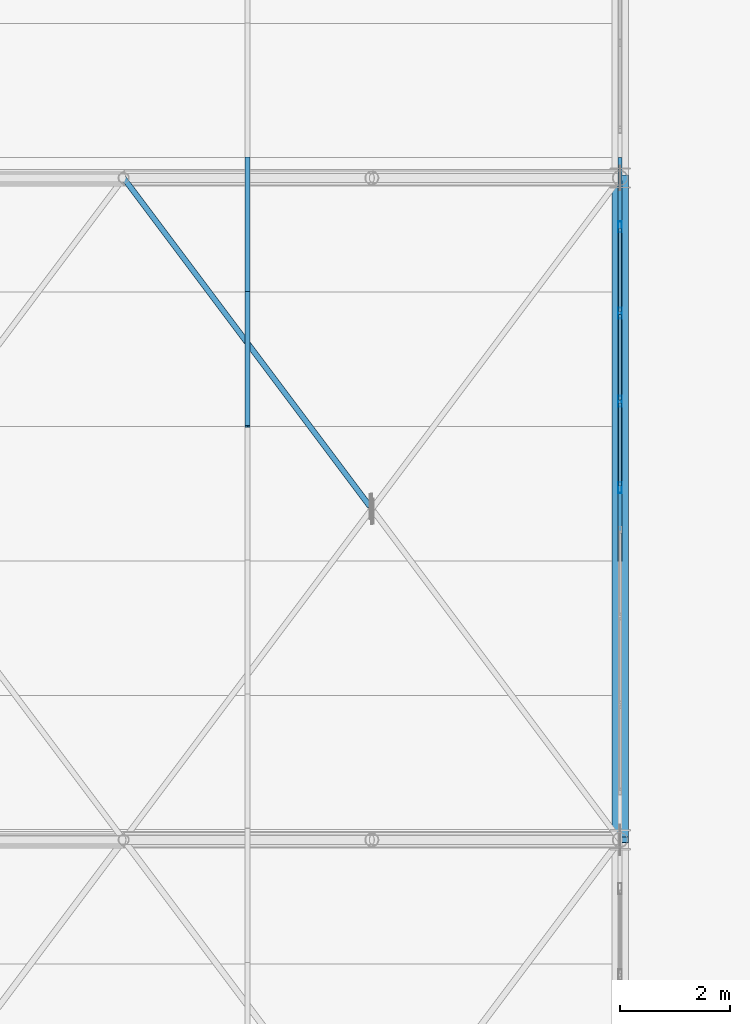
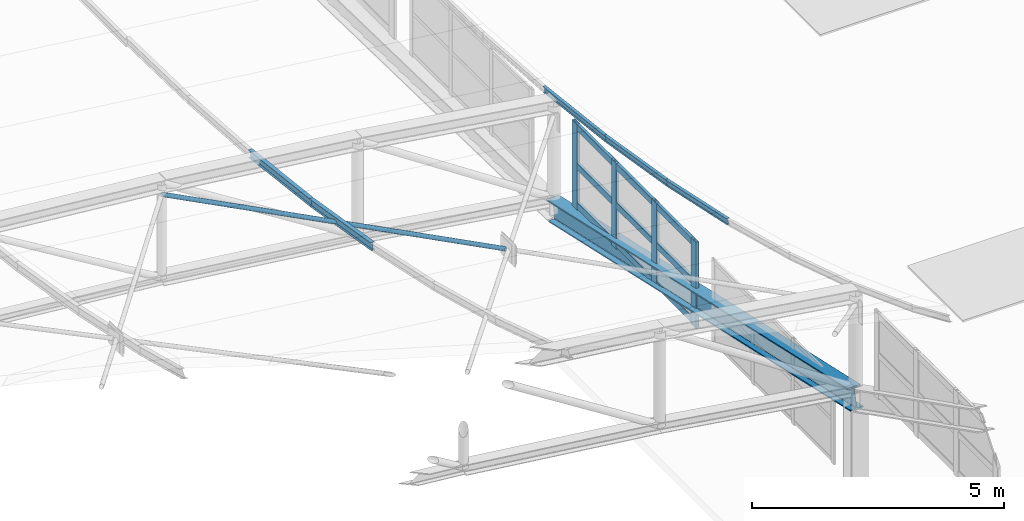
# One storey, part 93 of 262: 19 members, 1 beam, 1 element without a shape of its own.
"""IFC4 building model written with IfcOpenShell, lengths in metres."""

from ifc_helpers import new_model, si_unit, derived_unit, direction, frame, origin, origin_2d, place, context, subcontext, project, spatial, hollow_rectangle, hollow_circle, i_section, extrude, material, layer, layer_set, material_profile, profile_set, type_object, element, aggregate, save


model = new_model("IFC4")

# Units and contexts
model_context = context("Model", 3, precision=1e-05, world=origin(), true_north=direction((0.0, 1.0)))
body_context = subcontext(model_context, "Body", "Model", "MODEL_VIEW")
ifc_project = project(units=[si_unit("LENGTHUNIT", "METRE"), si_unit("AREAUNIT", "SQUARE_METRE"), si_unit("VOLUMEUNIT", "CUBIC_METRE"), si_unit("PLANEANGLEUNIT", "RADIAN"), si_unit("MASSUNIT", "GRAM", prefix="KILO"), derived_unit("THERMALTRANSMITTANCEUNIT", [(si_unit("POWERUNIT", "WATT"), 1), (si_unit("LENGTHUNIT", "METRE"), -2), (si_unit("THERMODYNAMICTEMPERATUREUNIT", "KELVIN"), -1)])], contexts=[model_context])

# Site, building, storey
site_placement = place(None, origin())
site = spatial("IfcSite", under=ifc_project, at=site_placement, CompositionType="ELEMENT")
building_placement = place(site_placement, origin())
building = spatial("IfcBuilding", under=site, at=building_placement, Name="Almenara Railside Exhibition Hall", CompositionType="ELEMENT")
storey_placement = place(building_placement, frame((0.0, 0.0, 21.699951171875)))
storey = spatial("IfcBuildingStorey", under=building, at=storey_placement, Name="RF", CompositionType="ELEMENT", Elevation=21.699951171875)

# Members
ifc_material_1 = material(Name="Structural steel S355JR", Category="steel")
ifc_material_profile_1 = material_profile(ifc_material_1, i_section(OverallWidth=0.072998046875, OverallDepth=0.139892578125, WebThickness=0.004638671875, FlangeThickness=0.0068359375, FilletRadius=0.007080078125, at=origin_2d()), Name="IPE 140")
ifc_profile_set_1 = profile_set([ifc_material_profile_1], Name="Structural steel S355JR")
member_type_1 = type_object("IfcMemberType", Name="Canopy Edge Purlin IPE 140 S355JR", PredefinedType="PURLIN", material=ifc_profile_set_1)
member_1_placement = place(storey_placement, frame((66.0, 65.056884765625, 1.506591796875), z_axis=(0.0, 0.977496103583, -0.210953472309), x_axis=(-1.0, 0.0, 0.0)))
element("IfcMember", 1, at=member_1_placement, inside=storey, type_object=member_type_1, Name="MEM-PR-V1-PR-IPE140-08-07", PredefinedType="PURLIN", context=body_context, shape_type="SweptSolid", body=[
    extrude(i_section(OverallWidth=0.072998046875, OverallDepth=0.139892578125, WebThickness=0.004638671875, FlangeThickness=0.0068359375, FilletRadius=0.007080078125, at=origin_2d()), origin(), (0.0, 0.0, 1.0), 2.492919921875),
])
member_2_placement = place(storey_placement, frame((66.0, 67.49365234375, 0.983154296875), z_axis=(0.0, 0.986465951297, -0.163966237171), x_axis=(-1.0, 0.0, 0.0)))
element("IfcMember", 2, at=member_2_placement, inside=storey, type_object=member_type_1, Name="MEM-PR-V1-PR-IPE140-08-08", PredefinedType="PURLIN", context=body_context, shape_type="SweptSolid", body=[
    extrude(i_section(OverallWidth=0.072998046875, OverallDepth=0.139892578125, WebThickness=0.004638671875, FlangeThickness=0.0068359375, FilletRadius=0.007080078125, at=origin_2d()), origin(), (0.0, 0.0, 1.0), 2.47021484375),
])
member_3_placement = place(storey_placement, frame((66.0, 69.930419921875, 0.579833984375), z_axis=(0.0, 0.993105700961, -0.117222296166), x_axis=(-1.0, 0.0, 0.0)))
element("IfcMember", 3, at=member_3_placement, inside=storey, type_object=member_type_1, Name="MEM-PR-V1-PR-IPE140-08-09", PredefinedType="PURLIN", context=body_context, shape_type="SweptSolid", body=[
    extrude(i_section(OverallWidth=0.072998046875, OverallDepth=0.139892578125, WebThickness=0.004638671875, FlangeThickness=0.0068359375, FilletRadius=0.007080078125, at=origin_2d()), origin(), (0.0, 0.0, 1.0), 2.453369140625),
])

# Curtain wall, members
ifc_material_2 = material(Name="Bronze-anodised aluminium and low-E double glazing", Category="aluminium")
ifc_layer = layer(ifc_material_2, 0.179931640625, Name="Bronze-anodised aluminium and low-E double glazing")
ifc_layer_set = layer_set([ifc_layer], Name="Bronze-anodised aluminium and low-E double glazing")
curtain_wall_type = type_object("IfcCurtainWallType", Name="West Hall Clerestory Curtain Wall 4200x2400", PredefinedType="NOTDEFINED", material=ifc_layer_set)
curtain_wall_placement = place(storey_placement, origin())
curtain_wall = element("IfcCurtainWall", 4, at=curtain_wall_placement, inside=storey, type_object=curtain_wall_type, Name="Curtain wall CW-CL1-175", PredefinedType="NOTDEFINED")
ifc_material_3 = material(Name="Bronze-anodised aluminium", Category="aluminium")
ifc_material_profile_2 = material_profile(ifc_material_3, hollow_rectangle(XDim=0.070068359375, YDim=0.199951171875, WallThickness=0.00439453125, InnerFilletRadius=0.00439453125, OuterFilletRadius=0.009033203125, at=origin_2d()), Name="ALU-MUL 70x200x4.5")
ifc_profile_set_2 = profile_set([ifc_material_profile_2], Name="Bronze-anodised aluminium")
member_type_2 = type_object("IfcMemberType", Name="Curtain Wall Mullion 70x200x4.5", PredefinedType="MULLION", material=ifc_profile_set_2)
member_4_placement = place(storey_placement, frame((66.0, 66.385009765625, -1.824951171875), z_axis=(0.0, 0.0, 1.0), x_axis=(-1.0, 0.0, 0.0)))
member_4 = element("IfcMember", 5, at=member_4_placement, type_object=member_type_2, Name="CW-CL1-175 mullion 1", PredefinedType="MULLION", context=body_context, shape_type="SweptSolid", body=[
    extrude(hollow_rectangle(XDim=0.070068359375, YDim=0.199951171875, WallThickness=0.00439453125, InnerFilletRadius=0.00439453125, OuterFilletRadius=0.009033203125, at=origin_2d()), origin(), (0.0, 0.0, 1.0), 2.0849609375),
])
member_5_placement = place(storey_placement, frame((66.0, 67.949951171875, -1.824951171875), z_axis=(0.0, 0.0, 1.0), x_axis=(-1.0, 0.0, 0.0)))
member_5 = element("IfcMember", 6, at=member_5_placement, type_object=member_type_2, Name="CW-CL1-175 mullion 2", PredefinedType="MULLION", context=body_context, shape_type="SweptSolid", body=[
    extrude(hollow_rectangle(XDim=0.070068359375, YDim=0.199951171875, WallThickness=0.00439453125, InnerFilletRadius=0.00439453125, OuterFilletRadius=0.009033203125, at=origin_2d()), origin(), (0.0, 0.0, 1.0), 2.0849609375),
])
member_6_placement = place(storey_placement, frame((66.0, 69.550048828125, -1.824951171875), z_axis=(0.0, 0.0, 1.0), x_axis=(-1.0, 0.0, 0.0)))
member_6 = element("IfcMember", 7, at=member_6_placement, type_object=member_type_2, Name="CW-CL1-175 mullion 3", PredefinedType="MULLION", context=body_context, shape_type="SweptSolid", body=[
    extrude(hollow_rectangle(XDim=0.070068359375, YDim=0.199951171875, WallThickness=0.00439453125, InnerFilletRadius=0.00439453125, OuterFilletRadius=0.009033203125, at=origin_2d()), origin(), (0.0, 0.0, 1.0), 2.0849609375),
])
member_7_placement = place(storey_placement, frame((66.0, 71.114990234375, -1.824951171875), z_axis=(0.0, 0.0, 1.0), x_axis=(-1.0, 0.0, 0.0)))
member_7 = element("IfcMember", 8, at=member_7_placement, type_object=member_type_2, Name="CW-CL1-175 mullion 4", PredefinedType="MULLION", context=body_context, shape_type="SweptSolid", body=[
    extrude(hollow_rectangle(XDim=0.070068359375, YDim=0.199951171875, WallThickness=0.00439453125, InnerFilletRadius=0.00439453125, OuterFilletRadius=0.009033203125, at=origin_2d()), origin(), (0.0, 0.0, 1.0), 2.0849609375),
])
ifc_material_profile_3 = material_profile(ifc_material_3, hollow_rectangle(XDim=0.070068359375, YDim=0.159912109375, WallThickness=0.00390625, InnerFilletRadius=0.00390625, OuterFilletRadius=0.008056640625, at=origin_2d()), Name="ALU-TRN 70x160x4")
ifc_profile_set_3 = profile_set([ifc_material_profile_3], Name="Bronze-anodised aluminium")
member_type_3 = type_object("IfcMemberType", Name="Curtain Wall Transom 70x160x4", PredefinedType="USERDEFINED", material=ifc_profile_set_3)
member_8_placement = place(storey_placement, frame((66.0, 66.412109375, -1.7099609375), z_axis=(0.0, 1.0, 0.0), x_axis=(-1.0, 0.0, 0.0)))
member_8 = element("IfcMember", 9, at=member_8_placement, type_object=member_type_3, Name="CW-CL1-175 transom 1.1", ObjectType="TRANSOM", PredefinedType="USERDEFINED", context=body_context, shape_type="SweptSolid", body=[
    extrude(hollow_rectangle(XDim=0.070068359375, YDim=0.159912109375, WallThickness=0.00390625, InnerFilletRadius=0.00390625, OuterFilletRadius=0.008056640625, at=origin_2d()), origin(), (0.0, 0.0, 1.0), 1.510986328125),
])
member_9_placement = place(storey_placement, frame((66.0, 66.412109375, -0.764892578125), z_axis=(0.0, 1.0, 0.0), x_axis=(-1.0, 0.0, 0.0)))
member_9 = element("IfcMember", 10, at=member_9_placement, type_object=member_type_3, Name="CW-CL1-175 transom 1.2", ObjectType="TRANSOM", PredefinedType="USERDEFINED", context=body_context, shape_type="SweptSolid", body=[
    extrude(hollow_rectangle(XDim=0.070068359375, YDim=0.159912109375, WallThickness=0.00390625, InnerFilletRadius=0.00390625, OuterFilletRadius=0.008056640625, at=origin_2d()), origin(), (0.0, 0.0, 1.0), 1.510986328125),
])
member_10_placement = place(storey_placement, frame((66.0, 66.412109375, 0.179931640625), z_axis=(0.0, 1.0, 0.0), x_axis=(-1.0, 0.0, 0.0)))
member_10 = element("IfcMember", 11, at=member_10_placement, type_object=member_type_3, Name="CW-CL1-175 transom 1.3", ObjectType="TRANSOM", PredefinedType="USERDEFINED", context=body_context, shape_type="SweptSolid", body=[
    extrude(hollow_rectangle(XDim=0.070068359375, YDim=0.159912109375, WallThickness=0.00390625, InnerFilletRadius=0.00390625, OuterFilletRadius=0.008056640625, at=origin_2d()), origin(), (0.0, 0.0, 1.0), 1.510986328125),
])
member_11_placement = place(storey_placement, frame((66.0, 67.97705078125, -1.7099609375), z_axis=(0.0, 1.0, 0.0), x_axis=(-1.0, 0.0, 0.0)))
member_11 = element("IfcMember", 12, at=member_11_placement, type_object=member_type_3, Name="CW-CL1-175 transom 2.1", ObjectType="TRANSOM", PredefinedType="USERDEFINED", context=body_context, shape_type="SweptSolid", body=[
    extrude(hollow_rectangle(XDim=0.070068359375, YDim=0.159912109375, WallThickness=0.00390625, InnerFilletRadius=0.00390625, OuterFilletRadius=0.008056640625, at=origin_2d()), origin(), (0.0, 0.0, 1.0), 1.5458984375),
])
member_12_placement = place(storey_placement, frame((66.0, 67.97705078125, -0.764892578125), z_axis=(0.0, 1.0, 0.0), x_axis=(-1.0, 0.0, 0.0)))
member_12 = element("IfcMember", 13, at=member_12_placement, type_object=member_type_3, Name="CW-CL1-175 transom 2.2", ObjectType="TRANSOM", PredefinedType="USERDEFINED", context=body_context, shape_type="SweptSolid", body=[
    extrude(hollow_rectangle(XDim=0.070068359375, YDim=0.159912109375, WallThickness=0.00390625, InnerFilletRadius=0.00390625, OuterFilletRadius=0.008056640625, at=origin_2d()), origin(), (0.0, 0.0, 1.0), 1.5458984375),
])
member_13_placement = place(storey_placement, frame((66.0, 67.97705078125, 0.179931640625), z_axis=(0.0, 1.0, 0.0), x_axis=(-1.0, 0.0, 0.0)))
member_13 = element("IfcMember", 14, at=member_13_placement, type_object=member_type_3, Name="CW-CL1-175 transom 2.3", ObjectType="TRANSOM", PredefinedType="USERDEFINED", context=body_context, shape_type="SweptSolid", body=[
    extrude(hollow_rectangle(XDim=0.070068359375, YDim=0.159912109375, WallThickness=0.00390625, InnerFilletRadius=0.00390625, OuterFilletRadius=0.008056640625, at=origin_2d()), origin(), (0.0, 0.0, 1.0), 1.5458984375),
])
member_14_placement = place(storey_placement, frame((66.0, 69.576904296875, -1.7099609375), z_axis=(0.0, 1.0, 0.0), x_axis=(-1.0, 0.0, 0.0)))
member_14 = element("IfcMember", 15, at=member_14_placement, type_object=member_type_3, Name="CW-CL1-175 transom 3.1", ObjectType="TRANSOM", PredefinedType="USERDEFINED", context=body_context, shape_type="SweptSolid", body=[
    extrude(hollow_rectangle(XDim=0.070068359375, YDim=0.159912109375, WallThickness=0.00390625, InnerFilletRadius=0.00390625, OuterFilletRadius=0.008056640625, at=origin_2d()), origin(), (0.0, 0.0, 1.0), 1.510986328125),
])
member_15_placement = place(storey_placement, frame((66.0, 69.576904296875, -0.764892578125), z_axis=(0.0, 1.0, 0.0), x_axis=(-1.0, 0.0, 0.0)))
member_15 = element("IfcMember", 16, at=member_15_placement, type_object=member_type_3, Name="CW-CL1-175 transom 3.2", ObjectType="TRANSOM", PredefinedType="USERDEFINED", context=body_context, shape_type="SweptSolid", body=[
    extrude(hollow_rectangle(XDim=0.070068359375, YDim=0.159912109375, WallThickness=0.00390625, InnerFilletRadius=0.00390625, OuterFilletRadius=0.008056640625, at=origin_2d()), origin(), (0.0, 0.0, 1.0), 1.510986328125),
])
member_16_placement = place(storey_placement, frame((66.0, 69.576904296875, 0.179931640625), z_axis=(0.0, 1.0, 0.0), x_axis=(-1.0, 0.0, 0.0)))
member_16 = element("IfcMember", 17, at=member_16_placement, type_object=member_type_3, Name="CW-CL1-175 transom 3.3", ObjectType="TRANSOM", PredefinedType="USERDEFINED", context=body_context, shape_type="SweptSolid", body=[
    extrude(hollow_rectangle(XDim=0.070068359375, YDim=0.159912109375, WallThickness=0.00390625, InnerFilletRadius=0.00390625, OuterFilletRadius=0.008056640625, at=origin_2d()), origin(), (0.0, 0.0, 1.0), 1.510986328125),
])
aggregate(curtain_wall, [member_4, member_5, member_6, member_7, member_8, member_9, member_10, member_11, member_12, member_13, member_14, member_15, member_16])

# Members
ifc_material_profile_4 = material_profile(ifc_material_1, i_section(OverallWidth=0.091064453125, OverallDepth=0.179931640625, WebThickness=0.00537109375, FlangeThickness=0.008056640625, FilletRadius=0.009033203125, at=origin_2d()), Name="IPE 180")
ifc_profile_set_4 = profile_set([ifc_material_profile_4], Name="Structural steel S355JR")
member_type_4 = type_object("IfcMemberType", Name="Plenary Roof Purlin IPE 180 S355JR", PredefinedType="PURLIN", material=ifc_profile_set_4)
member_17_placement = place(storey_placement, frame((59.25, 67.49365234375, 1.789306640625), z_axis=(0.0, 0.986465951297, -0.163966237171), x_axis=(-1.0, 0.0, 0.0)))
element("IfcMember", 18, at=member_17_placement, inside=storey, type_object=member_type_4, Name="MEM-PR-V1-PR-IPE180-07-08", PredefinedType="PURLIN", context=body_context, shape_type="SweptSolid", body=[
    extrude(i_section(OverallWidth=0.091064453125, OverallDepth=0.179931640625, WebThickness=0.00537109375, FlangeThickness=0.008056640625, FilletRadius=0.009033203125, at=origin_2d()), origin(), (0.0, 0.0, 1.0), 2.47021484375),
])
member_18_placement = place(storey_placement, frame((59.25, 69.930419921875, 1.385986328125), z_axis=(0.0, 0.993117280569, -0.117124152227), x_axis=(-1.0, 0.0, 0.0)))
element("IfcMember", 19, at=member_18_placement, inside=storey, type_object=member_type_4, Name="MEM-PR-V1-PR-IPE180-07-09", PredefinedType="PURLIN", context=body_context, shape_type="SweptSolid", body=[
    extrude(i_section(OverallWidth=0.091064453125, OverallDepth=0.179931640625, WebThickness=0.00537109375, FlangeThickness=0.008056640625, FilletRadius=0.009033203125, at=origin_2d()), origin(), (0.0, 0.0, 1.0), 2.453369140625),
])
ifc_material_profile_5 = material_profile(ifc_material_1, hollow_circle(Radius=0.05078125, WallThickness=0.00390625, at=origin_2d()), Name="CHS 101.6x4")
ifc_profile_set_5 = profile_set([ifc_material_profile_5], Name="Structural steel S355JR")
member_type_5 = type_object("IfcMemberType", Name="Scroll Wind Plan Brace CHS 101.6x4 S355JR", PredefinedType="BRACE", material=ifc_profile_set_5)
member_19_placement = place(storey_placement, frame((61.46728515625, 66.043701171875, 1.828857421875), z_axis=(-0.597204451366, 0.796261722591, -0.096509649289), x_axis=(-0.799996065092, -0.600005246508, 0.0)))
element("IfcMember", 20, at=member_19_placement, inside=storey, type_object=member_type_5, Name="MEM-WB-V1-WB-CHS102-01-10-S2", PredefinedType="BRACE", context=body_context, shape_type="SweptSolid", body=[
    extrude(hollow_circle(Radius=0.05078125, WallThickness=0.00390625, at=origin_2d()), origin(), (0.0, 0.0, 1.0), 7.480224609375),
])

# Beam
ifc_material_profile_6 = material_profile(ifc_material_1, i_section(OverallWidth=0.300048828125, OverallDepth=0.5, WebThickness=0.014404296875, FlangeThickness=0.028076171875, FilletRadius=0.027099609375, at=origin_2d()), Name="HEB 500")
ifc_profile_set_6 = profile_set([ifc_material_profile_6], Name="Structural steel S355JR")
beam_type = type_object("IfcBeamType", Name="Steel Heavy Eaves Girder HEB 500 S355JR", PredefinedType="USERDEFINED", material=ifc_profile_set_6)
beam_placement = place(storey_placement, frame((66.0, 60.0, 0.291259765625), z_axis=(0.0, 0.976017158666, -0.217693605763), x_axis=(-1.0, 0.0, 0.0)))
element("IfcBeam", 21, at=beam_placement, inside=storey, type_object=beam_type, Name="Beam 0964", ObjectType="GIRDER", PredefinedType="USERDEFINED", context=body_context, shape_type="SweptSolid", body=[
    extrude(i_section(OverallWidth=0.300048828125, OverallDepth=0.5, WebThickness=0.014404296875, FlangeThickness=0.028076171875, FilletRadius=0.027099609375, at=origin_2d()), origin(), (0.0, 0.0, 1.0), 12.294921875),
])

save(model, "model.ifc")
